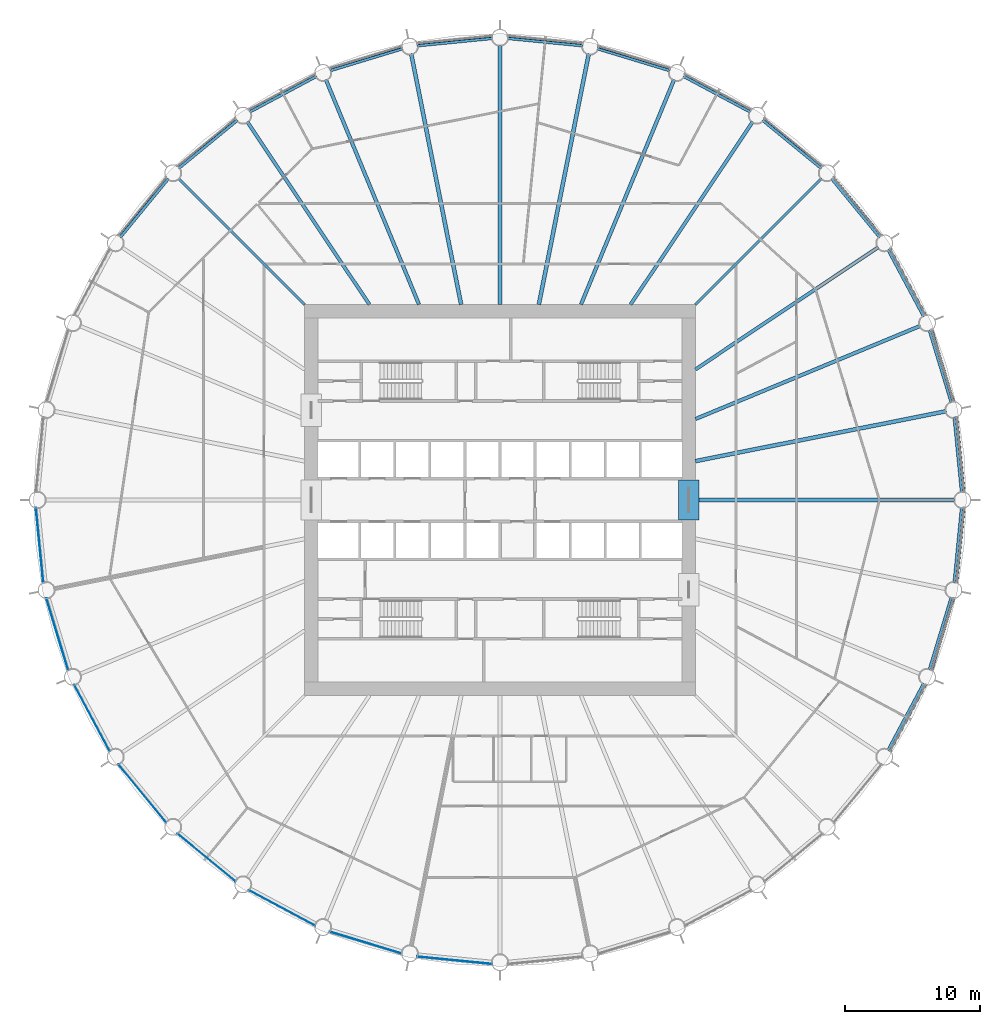
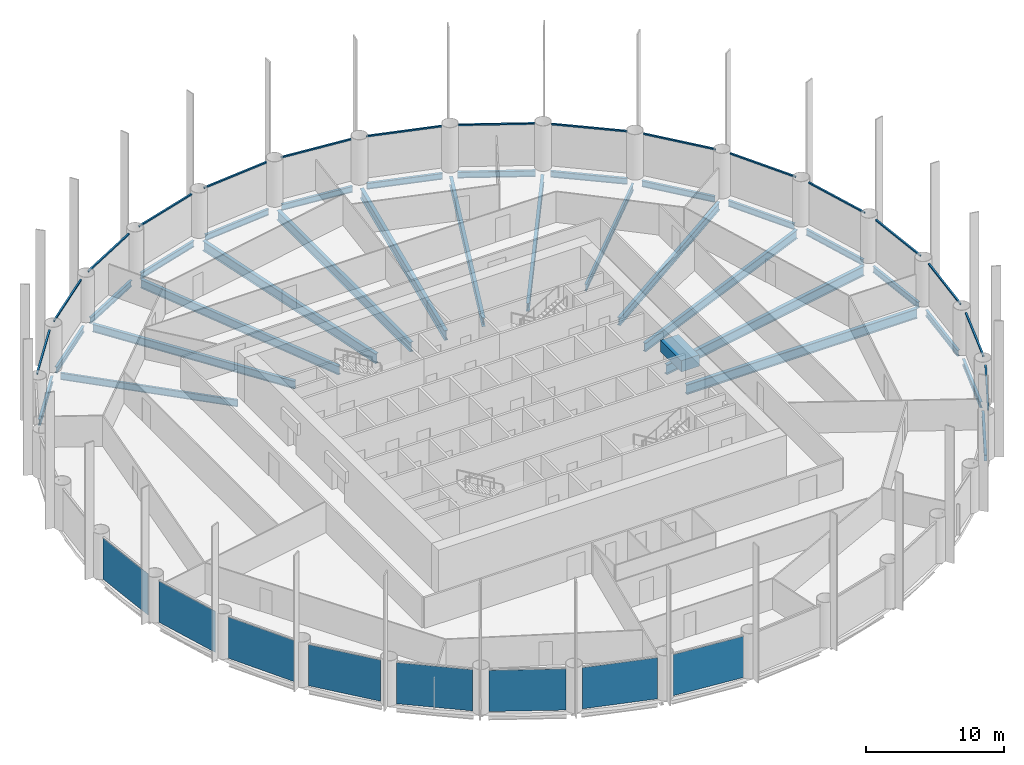
# One storey, part 2 of 10: 30 beams, 16 members, 8 plates, 24 elements without a shape of their own.
"""IFC4 building model written with IfcOpenShell, lengths in metres."""

from ifc_helpers import new_model, si_unit, direction, frame, origin, origin_2d, place, context, subcontext, project, spatial, rectangle, i_section, extrude, material, layer, layer_set, material_profile, profile_set, type_object, element, aggregate, save


model = new_model("IFC4")

# Units and contexts
model_context = context("Model", 3, precision=1e-05, world=origin(), true_north=direction((0.0, 1.0)))
body_context = subcontext(model_context, "Body", "Model", "MODEL_VIEW")
ifc_project = project(units=[si_unit("LENGTHUNIT", "METRE"), si_unit("AREAUNIT", "SQUARE_METRE"), si_unit("VOLUMEUNIT", "CUBIC_METRE"), si_unit("PLANEANGLEUNIT", "RADIAN"), si_unit("MASSUNIT", "GRAM", prefix="KILO")], contexts=[model_context])

# Site, building, storey
site_placement = place(None, origin())
site = spatial("IfcSite", under=ifc_project, at=site_placement, CompositionType="ELEMENT")
building_placement = place(site_placement, origin())
building = spatial("IfcBuilding", under=site, at=building_placement, Name="Corvane Civic Tower", CompositionType="ELEMENT")
storey_placement = place(building_placement, frame((0.0, 0.0, 118.5)))
storey = spatial("IfcBuildingStorey", under=building, at=storey_placement, Name="L27", CompositionType="ELEMENT", Elevation=118.5)

# Beams
ifc_material_1 = material(Name="Concrete C70/85", Category="concrete")
ifc_material_profile_1 = material_profile(ifc_material_1, rectangle(XDim=1.5, YDim=1.0, at=origin_2d()), Name="COUPLING BEAM 1500X1000")
ifc_profile_set_1 = profile_set([ifc_material_profile_1], Name="Concrete C70/85")
beam_type_1 = type_object("IfcBeamType", Name="COUPLING BEAM COUPLING BEAM 1500X1000", PredefinedType="BEAM", material=ifc_profile_set_1)
beam_1_placement = place(storey_placement, frame((14.0, -1.5, 2.60009765625), z_axis=(0.0, 1.0, 0.0), x_axis=(-1.0, 0.0, 0.0)))
element("IfcBeam", 1, at=beam_1_placement, inside=storey, type_object=beam_type_1, Name="BM-L27-cpl-CW-LE", PredefinedType="BEAM", context=body_context, shape_type="SweptSolid", body=[
    extrude(rectangle(XDim=1.5, YDim=1.0, at=origin_2d()), origin(), (0.0, 0.0, 1.0), 3.0),
])
ifc_material_2 = material(Name="Steel ASTM A992 Gr 50", Category="steel")
ifc_material_profile_2 = material_profile(ifc_material_2, i_section(OverallWidth=0.209228515625, OverallDepth=0.533447265625, WebThickness=0.01025390625, FlangeThickness=0.015625, at=origin_2d()), Name="W21X62")
ifc_profile_set_2 = profile_set([ifc_material_profile_2], Name="Steel ASTM A992 Gr 50")
beam_type_2 = type_object("IfcBeamType", Name="EDGE BEAM W21X62", PredefinedType="BEAM", material=ifc_profile_set_2)
beam_2_placement = place(storey_placement, frame((0.54736328125, 34.24609375, -0.566650390625), z_axis=(0.995184368522, -0.098020776625, 0.0), x_axis=(0.098020776625, 0.995184368522, 0.0)))
element("IfcBeam", 2, at=beam_2_placement, inside=storey, type_object=beam_type_2, Name="BM-L27-E01", PredefinedType="BEAM", context=body_context, shape_type="SweptSolid", body=[
    extrude(i_section(OverallWidth=0.209228515625, OverallDepth=0.533447265625, WebThickness=0.01025390625, FlangeThickness=0.015625, at=origin_2d()), origin(), (0.0, 0.0, 1.0), 5.6240234375),
])
beam_3_placement = place(storey_placement, frame((7.218017578125, 33.481201171875, -0.566650390625), z_axis=(0.956936367498, -0.290297758448, 0.0), x_axis=(0.290297758448, 0.956936367498, 0.0)))
element("IfcBeam", 3, at=beam_3_placement, inside=storey, type_object=beam_type_2, Name="BM-L27-E02", PredefinedType="BEAM", context=body_context, shape_type="SweptSolid", body=[
    extrude(i_section(OverallWidth=0.209228515625, OverallDepth=0.533447265625, WebThickness=0.01025390625, FlangeThickness=0.015625, at=origin_2d()), origin(), (0.0, 0.0, 1.0), 5.623779296875),
])
for number, where, z_axis, x_axis, name in (
    (4, (13.611083984375, 31.4296875, -0.566650390625), (0.88192357867, -0.471392407008, 0.0), (0.471392407008, 0.88192357867, 0.0), "BM-L27-E03"),
    (5, (19.481201171875, 28.17041015625, -0.566650390625), (0.773006775372, -0.634397765782, 0.0), (0.634397765782, 0.773006775372, 0.0), "BM-L27-E04"),
    (6, (24.6025390625, 23.82861328125, -0.566650390625), (0.634397765782, -0.773006775372, 0.0), (0.773006775372, 0.634397765782, 0.0), "BM-L27-E05"),
    (7, (28.778564453125, 18.571044921875, -0.566650390625), (0.471392407008, -0.88192357867, 0.0), (0.88192357867, 0.471392407008, 0.0), "BM-L27-E06"),
):
    element("IfcBeam", number, at=place(storey_placement, frame(where, z_axis=z_axis, x_axis=x_axis)), inside=storey, type_object=beam_type_2, Name=name, PredefinedType="BEAM", context=body_context, shape_type="SweptSolid", body=[
        extrude(i_section(OverallWidth=0.209228515625, OverallDepth=0.533447265625, WebThickness=0.01025390625, FlangeThickness=0.015625, at=origin_2d()), origin(), (0.0, 0.0, 1.0), 5.6240234375),
    ])
beam_4_placement = place(storey_placement, frame((31.8486328125, 12.599609375, -0.566650390625), z_axis=(0.290297758448, -0.956936367498, 0.0), x_axis=(0.956936367498, 0.290297758448, 0.0)))
element("IfcBeam", 8, at=beam_4_placement, inside=storey, type_object=beam_type_2, Name="BM-L27-E07", PredefinedType="BEAM", context=body_context, shape_type="SweptSolid", body=[
    extrude(i_section(OverallWidth=0.209228515625, OverallDepth=0.533447265625, WebThickness=0.01025390625, FlangeThickness=0.015625, at=origin_2d()), origin(), (0.0, 0.0, 1.0), 5.623779296875),
])
for number, where, z_axis, x_axis, name in (
    (9, (33.69482421875, 6.144287109375, -0.566650390625), (0.098020776625, -0.995184368522, 0.0), (0.995184368522, 0.098020776625, 0.0), "BM-L27-E08"),
    (10, (34.24609375, -0.54736328125, -0.566650390625), (-0.098020776625, -0.995184368522, 0.0), (0.995184368522, -0.098020776625, 0.0), "BM-L27-E09"),
):
    element("IfcBeam", number, at=place(storey_placement, frame(where, z_axis=z_axis, x_axis=x_axis)), inside=storey, type_object=beam_type_2, Name=name, PredefinedType="BEAM", context=body_context, shape_type="SweptSolid", body=[
        extrude(i_section(OverallWidth=0.209228515625, OverallDepth=0.533447265625, WebThickness=0.01025390625, FlangeThickness=0.015625, at=origin_2d()), origin(), (0.0, 0.0, 1.0), 5.6240234375),
    ])
beam_5_placement = place(storey_placement, frame((33.481201171875, -7.218017578125, -0.566650390625), z_axis=(-0.290297758448, -0.956936367498, 0.0), x_axis=(0.956936367498, -0.290297758448, 0.0)))
element("IfcBeam", 11, at=beam_5_placement, inside=storey, type_object=beam_type_2, Name="BM-L27-E10", PredefinedType="BEAM", context=body_context, shape_type="SweptSolid", body=[
    extrude(i_section(OverallWidth=0.209228515625, OverallDepth=0.533447265625, WebThickness=0.01025390625, FlangeThickness=0.015625, at=origin_2d()), origin(), (0.0, 0.0, 1.0), 5.623779296875),
])
for number, where, z_axis, x_axis, name in (
    (12, (31.4296875, -13.611083984375, -0.566650390625), (-0.471392407008, -0.88192357867, 0.0), (0.88192357867, -0.471392407008, 0.0), "BM-L27-E11"),
    (13, (-28.17041015625, 19.481201171875, -0.566650390625), (0.634397765782, 0.773006775372, 0.0), (-0.773006775372, 0.634397765782, 0.0), "BM-L27-E28"),
    (14, (-23.82861328125, 24.6025390625, -0.566650390625), (0.773006775372, 0.634397765782, 0.0), (-0.634397765782, 0.773006775372, 0.0), "BM-L27-E29"),
    (15, (-18.571044921875, 28.778564453125, -0.566650390625), (0.88192357867, 0.471392407008, 0.0), (-0.471392407008, 0.88192357867, 0.0), "BM-L27-E30"),
):
    element("IfcBeam", number, at=place(storey_placement, frame(where, z_axis=z_axis, x_axis=x_axis)), inside=storey, type_object=beam_type_2, Name=name, PredefinedType="BEAM", context=body_context, shape_type="SweptSolid", body=[
        extrude(i_section(OverallWidth=0.209228515625, OverallDepth=0.533447265625, WebThickness=0.01025390625, FlangeThickness=0.015625, at=origin_2d()), origin(), (0.0, 0.0, 1.0), 5.6240234375),
    ])
beam_6_placement = place(storey_placement, frame((-12.599609375, 31.8486328125, -0.566650390625), z_axis=(0.956936367498, 0.290297758448, 0.0), x_axis=(-0.290297758448, 0.956936367498, 0.0)))
element("IfcBeam", 16, at=beam_6_placement, inside=storey, type_object=beam_type_2, Name="BM-L27-E31", PredefinedType="BEAM", context=body_context, shape_type="SweptSolid", body=[
    extrude(i_section(OverallWidth=0.209228515625, OverallDepth=0.533447265625, WebThickness=0.01025390625, FlangeThickness=0.015625, at=origin_2d()), origin(), (0.0, 0.0, 1.0), 5.623779296875),
])
beam_7_placement = place(storey_placement, frame((-6.144287109375, 33.69482421875, -0.566650390625), z_axis=(0.995184368522, 0.098020776625, 0.0), x_axis=(-0.098020776625, 0.995184368522, 0.0)))
element("IfcBeam", 17, at=beam_7_placement, inside=storey, type_object=beam_type_2, Name="BM-L27-E32", PredefinedType="BEAM", context=body_context, shape_type="SweptSolid", body=[
    extrude(i_section(OverallWidth=0.209228515625, OverallDepth=0.533447265625, WebThickness=0.01025390625, FlangeThickness=0.015625, at=origin_2d()), origin(), (0.0, 0.0, 1.0), 5.6240234375),
])
ifc_material_3 = material(Name="Steel ASTM A992 Gr 50", Category="steel")
ifc_material_profile_3 = material_profile(ifc_material_3, i_section(OverallWidth=0.177978515625, OverallDepth=0.599365234375, WebThickness=0.010009765625, FlangeThickness=0.012939453125, at=origin_2d()), Name="W24X55")
ifc_profile_set_3 = profile_set([ifc_material_profile_3], Name="Steel ASTM A992 Gr 50")
beam_type_3 = type_object("IfcBeamType", Name="FLOOR GIRDER W24X55", PredefinedType="BEAM", material=ifc_profile_set_3)
for number, where, z_axis, x_axis, name in (
    (18, (14.5, 14.5, -0.599609375), (0.707106781187, 0.707106781187, 0.0), (-0.707106781187, 0.707106781187, 0.0), "BM-L27-G05"),
    (19, (-14.5, 14.5, -0.599609375), (-0.707106781187, 0.707106781187, 0.0), (-0.707106781187, -0.707106781187, 0.0), "BM-L27-G29"),
):
    element("IfcBeam", number, at=place(storey_placement, frame(where, z_axis=z_axis, x_axis=x_axis)), inside=storey, type_object=beam_type_3, Name=name, PredefinedType="BEAM", context=body_context, shape_type="SweptSolid", body=[
        extrude(i_section(OverallWidth=0.177978515625, OverallDepth=0.599365234375, WebThickness=0.010009765625, FlangeThickness=0.012939453125, at=origin_2d()), origin(), (0.0, 0.0, 1.0), 13.24365234375),
    ])
ifc_material_4 = material(Name="Steel ASTM A992 Gr 50", Category="steel")
ifc_material_profile_4 = material_profile(ifc_material_4, i_section(OverallWidth=0.256591796875, OverallDepth=0.693359375, WebThickness=0.014404296875, FlangeThickness=0.023681640625, at=origin_2d()), Name="W27X114")
ifc_profile_set_4 = profile_set([ifc_material_profile_4], Name="Steel ASTM A992 Gr 50")
beam_type_4 = type_object("IfcBeamType", Name="FLOOR GIRDER W27X114", PredefinedType="BEAM", material=ifc_profile_set_4)
for number, where, z_axis, x_axis, name in (
    (20, (9.6884765625, 14.5, -0.646728515625), (0.555577235054, 0.83146493365, 0.0), (-0.83146493365, 0.555577235054, 0.0), "BM-L27-G04"),
    (21, (14.5, 9.6884765625, -0.646728515625), (0.83146493365, 0.555577235054, 0.0), (-0.555577235054, 0.83146493365, 0.0), "BM-L27-G06"),
    (22, (-9.6884765625, 14.5, -0.646728515625), (-0.555577235054, 0.83146493365, 0.0), (-0.83146493365, -0.555577235054, 0.0), "BM-L27-G30"),
):
    element("IfcBeam", number, at=place(storey_placement, frame(where, z_axis=z_axis, x_axis=x_axis)), inside=storey, type_object=beam_type_4, Name=name, PredefinedType="BEAM", context=body_context, shape_type="SweptSolid", body=[
        extrude(i_section(OverallWidth=0.256591796875, OverallDepth=0.693359375, WebThickness=0.014404296875, FlangeThickness=0.023681640625, at=origin_2d()), origin(), (0.0, 0.0, 1.0), 16.31103515625),
    ])
ifc_material_5 = material(Name="Steel ASTM A992 Gr 50", Category="steel")
ifc_material_profile_5 = material_profile(ifc_material_5, i_section(OverallWidth=0.2666015625, OverallDepth=0.7568359375, WebThickness=0.013916015625, FlangeThickness=0.019287109375, at=origin_2d()), Name="W30X108")
ifc_profile_set_5 = profile_set([ifc_material_profile_5], Name="Steel ASTM A992 Gr 50")
beam_type_5 = type_object("IfcBeamType", Name="FLOOR GIRDER W30X108", PredefinedType="BEAM", material=ifc_profile_set_5)
for number, where, z_axis, x_axis, name in (
    (23, (6.006103515625, 14.5, -0.678466796875), (0.382681797504, 0.923880209691, 0.0), (-0.923880209691, 0.382681797504, 0.0), "BM-L27-G03"),
    (24, (14.5, 6.006103515625, -0.678466796875), (0.923880209691, 0.382681797504, 0.0), (-0.382681797504, 0.923880209691, 0.0), "BM-L27-G07"),
    (25, (-6.006103515625, 14.5, -0.678466796875), (-0.382681797504, 0.923880209691, 0.0), (-0.923880209691, -0.382681797504, 0.0), "BM-L27-G31"),
):
    element("IfcBeam", number, at=place(storey_placement, frame(where, z_axis=z_axis, x_axis=x_axis)), inside=storey, type_object=beam_type_5, Name=name, PredefinedType="BEAM", context=body_context, shape_type="SweptSolid", body=[
        extrude(i_section(OverallWidth=0.2666015625, OverallDepth=0.7568359375, WebThickness=0.013916015625, FlangeThickness=0.019287109375, at=origin_2d()), origin(), (0.0, 0.0, 1.0), 18.05517578125),
    ])
ifc_material_6 = material(Name="Steel ASTM A992 Gr 50", Category="steel")
ifc_material_profile_6 = material_profile(ifc_material_6, i_section(OverallWidth=0.2919921875, OverallDepth=0.8583984375, WebThickness=0.01708984375, FlangeThickness=0.031005859375, at=origin_2d()), Name="W33X169")
ifc_profile_set_6 = profile_set([ifc_material_profile_6], Name="Steel ASTM A992 Gr 50")
beam_type_6 = type_object("IfcBeamType", Name="FLOOR GIRDER W33X169", PredefinedType="BEAM", material=ifc_profile_set_6)
beam_8_placement = place(storey_placement, frame((0.0, 14.5, -0.729248046875), z_axis=(0.0, 1.0, 0.0), x_axis=(-1.0, 0.0, 0.0)))
element("IfcBeam", 26, at=beam_8_placement, inside=storey, type_object=beam_type_6, Name="BM-L27-G01", PredefinedType="BEAM", context=body_context, shape_type="SweptSolid", body=[
    extrude(i_section(OverallWidth=0.2919921875, OverallDepth=0.8583984375, WebThickness=0.01708984375, FlangeThickness=0.031005859375, at=origin_2d()), origin(), (0.0, 0.0, 1.0), 19.25),
])
for number, where, z_axis, x_axis, name in (
    (27, (2.88427734375, 14.5, -0.729248046875), (0.195083745652, 0.9807865885, 0.0), (-0.9807865885, 0.195083745652, 0.0), "BM-L27-G02"),
    (28, (14.5, 2.88427734375, -0.729248046875), (0.9807865885, 0.195083745652, 0.0), (-0.195083745652, 0.9807865885, 0.0), "BM-L27-G08"),
):
    element("IfcBeam", number, at=place(storey_placement, frame(where, z_axis=z_axis, x_axis=x_axis)), inside=storey, type_object=beam_type_6, Name=name, PredefinedType="BEAM", context=body_context, shape_type="SweptSolid", body=[
        extrude(i_section(OverallWidth=0.2919921875, OverallDepth=0.8583984375, WebThickness=0.01708984375, FlangeThickness=0.031005859375, at=origin_2d()), origin(), (0.0, 0.0, 1.0), 18.966064453125),
    ])
beam_9_placement = place(storey_placement, frame((14.5, 0.0, -0.729248046875), z_axis=(1.0, 0.0, 0.0), x_axis=(0.0, 1.0, 0.0)))
element("IfcBeam", 29, at=beam_9_placement, inside=storey, type_object=beam_type_6, Name="BM-L27-G09", PredefinedType="BEAM", context=body_context, shape_type="SweptSolid", body=[
    extrude(i_section(OverallWidth=0.2919921875, OverallDepth=0.8583984375, WebThickness=0.01708984375, FlangeThickness=0.031005859375, at=origin_2d()), origin(), (0.0, 0.0, 1.0), 19.25),
])
beam_10_placement = place(storey_placement, frame((-2.88427734375, 14.5, -0.729248046875), z_axis=(-0.195083745652, 0.9807865885, 0.0), x_axis=(-0.9807865885, -0.195083745652, 0.0)))
element("IfcBeam", 30, at=beam_10_placement, inside=storey, type_object=beam_type_6, Name="BM-L27-G32", PredefinedType="BEAM", context=body_context, shape_type="SweptSolid", body=[
    extrude(i_section(OverallWidth=0.2919921875, OverallDepth=0.8583984375, WebThickness=0.01708984375, FlangeThickness=0.031005859375, at=origin_2d()), origin(), (0.0, 0.0, 1.0), 18.966064453125),
])

# Curtain wall, member
ifc_material_7 = material(Name="Anodised aluminium bronze", Category="aluminium")
curtain_wall_type = type_object("IfcCurtainWallType", Name="TOWER CW-T1 STICK CURTAIN WALL", PredefinedType="NOTDEFINED", material=ifc_material_7)
curtain_wall_1_placement = place(storey_placement, origin())
curtain_wall_1 = element("IfcCurtainWall", 31, at=curtain_wall_1_placement, inside=storey, type_object=curtain_wall_type, Name="Curtain wall CW-T1 L27 bay 01", PredefinedType="NOTDEFINED")
ifc_material_8 = material(Name="Anodised aluminium bronze", Category="aluminium")
ifc_material_profile_7 = material_profile(ifc_material_8, rectangle(XDim=0.139892578125, YDim=0.1201171875, at=origin_2d()), Name="TOWER CW-T1 TRANSOM 140x120")
ifc_profile_set_7 = profile_set([ifc_material_profile_7], Name="Anodised aluminium bronze")
member_type = type_object("IfcMemberType", Name="TOWER CW-T1 TRANSOM 140x120", PredefinedType="USERDEFINED", material=ifc_profile_set_7)
member_1_placement = place(storey_placement, frame((0.58349609375, 34.422607421875, 3.68994140625), z_axis=(0.995179807033, -0.098067077419, 0.0), x_axis=(0.098067077419, 0.995179807033, 0.0)))
member_1 = element("IfcMember", 32, at=member_1_placement, type_object=member_type, Name="Transom CW-T1 L27 01.1", ObjectType="TRANSOM", PredefinedType="USERDEFINED", context=body_context, shape_type="SweptSolid", body=[
    extrude(rectangle(XDim=0.139892578125, YDim=0.1201171875, at=origin_2d()), origin(), (0.0, 0.0, 1.0), 5.58642578125),
])
aggregate(curtain_wall_1, [member_1])

curtain_wall_2_placement = place(storey_placement, origin())
curtain_wall_2 = element("IfcCurtainWall", 33, at=curtain_wall_2_placement, inside=storey, type_object=curtain_wall_type, Name="Curtain wall CW-T1 L27 bay 02", PredefinedType="NOTDEFINED")
member_2_placement = place(storey_placement, frame((7.287841796875, 33.647216796875, 3.68994140625), z_axis=(0.956944977029, -0.290269376509, 0.0), x_axis=(0.290269376509, 0.956944977029, 0.0)))
member_2 = element("IfcMember", 34, at=member_2_placement, type_object=member_type, Name="Transom CW-T1 L27 02.1", ObjectType="TRANSOM", PredefinedType="USERDEFINED", context=body_context, shape_type="SweptSolid", body=[
    extrude(rectangle(XDim=0.139892578125, YDim=0.1201171875, at=origin_2d()), origin(), (0.0, 0.0, 1.0), 5.58642578125),
])
aggregate(curtain_wall_2, [member_2])

curtain_wall_3_placement = place(storey_placement, origin())
curtain_wall_3 = element("IfcCurtainWall", 35, at=curtain_wall_3_placement, inside=storey, type_object=curtain_wall_type, Name="Curtain wall CW-T1 L27 bay 03", PredefinedType="NOTDEFINED")
member_3_placement = place(storey_placement, frame((13.712158203125, 31.5791015625, 3.68994140625), z_axis=(0.881920705407, -0.47139778253, 0.0), x_axis=(0.47139778253, 0.881920705407, 0.0)))
member_3 = element("IfcMember", 36, at=member_3_placement, type_object=member_type, Name="Transom CW-T1 L27 03.1", ObjectType="TRANSOM", PredefinedType="USERDEFINED", context=body_context, shape_type="SweptSolid", body=[
    extrude(rectangle(XDim=0.139892578125, YDim=0.1201171875, at=origin_2d()), origin(), (0.0, 0.0, 1.0), 5.586669921875),
])
aggregate(curtain_wall_3, [member_3])

curtain_wall_4_placement = place(storey_placement, origin())
curtain_wall_4 = element("IfcCurtainWall", 37, at=curtain_wall_4_placement, inside=storey, type_object=curtain_wall_type, Name="Curtain wall CW-T1 L27 bay 04", PredefinedType="NOTDEFINED")
member_4_placement = place(storey_placement, frame((19.609619140625, 28.297119140625, 3.68994140625), z_axis=(0.772996431642, -0.634410369295, 0.0), x_axis=(0.634410369295, 0.772996431642, 0.0)))
member_4 = element("IfcMember", 38, at=member_4_placement, type_object=member_type, Name="Transom CW-T1 L27 04.1", ObjectType="TRANSOM", PredefinedType="USERDEFINED", context=body_context, shape_type="SweptSolid", body=[
    extrude(rectangle(XDim=0.139892578125, YDim=0.1201171875, at=origin_2d()), origin(), (0.0, 0.0, 1.0), 5.586181640625),
])
aggregate(curtain_wall_4, [member_4])

curtain_wall_5_placement = place(storey_placement, origin())
curtain_wall_5 = element("IfcCurtainWall", 39, at=curtain_wall_5_placement, inside=storey, type_object=curtain_wall_type, Name="Curtain wall CW-T1 L27 bay 05", PredefinedType="NOTDEFINED")
member_5_placement = place(storey_placement, frame((24.753173828125, 23.927734375, 3.68994140625), z_axis=(0.634410369295, -0.772996431642, 0.0), x_axis=(0.772996431642, 0.634410369295, 0.0)))
member_5 = element("IfcMember", 40, at=member_5_placement, type_object=member_type, Name="Transom CW-T1 L27 05.1", ObjectType="TRANSOM", PredefinedType="USERDEFINED", context=body_context, shape_type="SweptSolid", body=[
    extrude(rectangle(XDim=0.139892578125, YDim=0.1201171875, at=origin_2d()), origin(), (0.0, 0.0, 1.0), 5.586181640625),
])
aggregate(curtain_wall_5, [member_5])

curtain_wall_6_placement = place(storey_placement, origin())
curtain_wall_6 = element("IfcCurtainWall", 41, at=curtain_wall_6_placement, inside=storey, type_object=curtain_wall_type, Name="Curtain wall CW-T1 L27 bay 06", PredefinedType="NOTDEFINED")
member_6_placement = place(storey_placement, frame((28.945556640625, 18.63916015625, 3.68994140625), z_axis=(0.47139778253, -0.881920705407, 0.0), x_axis=(0.881920705407, 0.47139778253, 0.0)))
member_6 = element("IfcMember", 42, at=member_6_placement, type_object=member_type, Name="Transom CW-T1 L27 06.1", ObjectType="TRANSOM", PredefinedType="USERDEFINED", context=body_context, shape_type="SweptSolid", body=[
    extrude(rectangle(XDim=0.139892578125, YDim=0.1201171875, at=origin_2d()), origin(), (0.0, 0.0, 1.0), 5.586669921875),
])
aggregate(curtain_wall_6, [member_6])

curtain_wall_7_placement = place(storey_placement, origin())
curtain_wall_7 = element("IfcCurtainWall", 43, at=curtain_wall_7_placement, inside=storey, type_object=curtain_wall_type, Name="Curtain wall CW-T1 L27 bay 07", PredefinedType="NOTDEFINED")
member_7_placement = place(storey_placement, frame((32.025634765625, 12.6337890625, 3.68994140625), z_axis=(0.290269376509, -0.956944977029, 0.0), x_axis=(0.956944977029, 0.290269376509, 0.0)))
member_7 = element("IfcMember", 44, at=member_7_placement, type_object=member_type, Name="Transom CW-T1 L27 07.1", ObjectType="TRANSOM", PredefinedType="USERDEFINED", context=body_context, shape_type="SweptSolid", body=[
    extrude(rectangle(XDim=0.139892578125, YDim=0.1201171875, at=origin_2d()), origin(), (0.0, 0.0, 1.0), 5.58642578125),
])
aggregate(curtain_wall_7, [member_7])

curtain_wall_8_placement = place(storey_placement, origin())
curtain_wall_8 = element("IfcCurtainWall", 45, at=curtain_wall_8_placement, inside=storey, type_object=curtain_wall_type, Name="Curtain wall CW-T1 L27 bay 08", PredefinedType="NOTDEFINED")
member_8_placement = place(storey_placement, frame((33.874755859375, 6.14306640625, 3.68994140625), z_axis=(0.098067077419, -0.995179807033, 0.0), x_axis=(0.995179807033, 0.098067077419, 0.0)))
member_8 = element("IfcMember", 46, at=member_8_placement, type_object=member_type, Name="Transom CW-T1 L27 08.1", ObjectType="TRANSOM", PredefinedType="USERDEFINED", context=body_context, shape_type="SweptSolid", body=[
    extrude(rectangle(XDim=0.139892578125, YDim=0.1201171875, at=origin_2d()), origin(), (0.0, 0.0, 1.0), 5.58642578125),
])
aggregate(curtain_wall_8, [member_8])

curtain_wall_9_placement = place(storey_placement, origin())
curtain_wall_9 = element("IfcCurtainWall", 47, at=curtain_wall_9_placement, inside=storey, type_object=curtain_wall_type, Name="Curtain wall CW-T1 L27 bay 09", PredefinedType="NOTDEFINED")
member_9_placement = place(storey_placement, frame((34.422607421875, -0.58349609375, 3.68994140625), z_axis=(-0.098067077419, -0.995179807033, 0.0), x_axis=(0.995179807033, -0.098067077419, 0.0)))
member_9 = element("IfcMember", 48, at=member_9_placement, type_object=member_type, Name="Transom CW-T1 L27 09.1", ObjectType="TRANSOM", PredefinedType="USERDEFINED", context=body_context, shape_type="SweptSolid", body=[
    extrude(rectangle(XDim=0.139892578125, YDim=0.1201171875, at=origin_2d()), origin(), (0.0, 0.0, 1.0), 5.58642578125),
])
aggregate(curtain_wall_9, [member_9])

curtain_wall_10_placement = place(storey_placement, origin())
curtain_wall_10 = element("IfcCurtainWall", 49, at=curtain_wall_10_placement, inside=storey, type_object=curtain_wall_type, Name="Curtain wall CW-T1 L27 bay 10", PredefinedType="NOTDEFINED")
member_10_placement = place(storey_placement, frame((33.647216796875, -7.287841796875, 3.68994140625), z_axis=(-0.290269376509, -0.956944977029, 0.0), x_axis=(0.956944977029, -0.290269376509, 0.0)))
member_10 = element("IfcMember", 50, at=member_10_placement, type_object=member_type, Name="Transom CW-T1 L27 10.1", ObjectType="TRANSOM", PredefinedType="USERDEFINED", context=body_context, shape_type="SweptSolid", body=[
    extrude(rectangle(XDim=0.139892578125, YDim=0.1201171875, at=origin_2d()), origin(), (0.0, 0.0, 1.0), 5.58642578125),
])
aggregate(curtain_wall_10, [member_10])

curtain_wall_11_placement = place(storey_placement, origin())
curtain_wall_11 = element("IfcCurtainWall", 51, at=curtain_wall_11_placement, inside=storey, type_object=curtain_wall_type, Name="Curtain wall CW-T1 L27 bay 11", PredefinedType="NOTDEFINED")
member_11_placement = place(storey_placement, frame((31.5791015625, -13.712158203125, 3.68994140625), z_axis=(-0.47139778253, -0.881920705407, 0.0), x_axis=(0.881920705407, -0.47139778253, 0.0)))
member_11 = element("IfcMember", 52, at=member_11_placement, type_object=member_type, Name="Transom CW-T1 L27 11.1", ObjectType="TRANSOM", PredefinedType="USERDEFINED", context=body_context, shape_type="SweptSolid", body=[
    extrude(rectangle(XDim=0.139892578125, YDim=0.1201171875, at=origin_2d()), origin(), (0.0, 0.0, 1.0), 5.586669921875),
])
aggregate(curtain_wall_11, [member_11])

curtain_wall_12_placement = place(storey_placement, origin())
curtain_wall_12 = element("IfcCurtainWall", 53, at=curtain_wall_12_placement, inside=storey, type_object=curtain_wall_type, Name="Curtain wall CW-T1 L27 bay 28", PredefinedType="NOTDEFINED")
member_12_placement = place(storey_placement, frame((-28.297119140625, 19.609619140625, 3.68994140625), z_axis=(0.634410369295, 0.772996431642, 0.0), x_axis=(-0.772996431642, 0.634410369295, 0.0)))
member_12 = element("IfcMember", 54, at=member_12_placement, type_object=member_type, Name="Transom CW-T1 L27 28.1", ObjectType="TRANSOM", PredefinedType="USERDEFINED", context=body_context, shape_type="SweptSolid", body=[
    extrude(rectangle(XDim=0.139892578125, YDim=0.1201171875, at=origin_2d()), origin(), (0.0, 0.0, 1.0), 5.586181640625),
])
aggregate(curtain_wall_12, [member_12])

curtain_wall_13_placement = place(storey_placement, origin())
curtain_wall_13 = element("IfcCurtainWall", 55, at=curtain_wall_13_placement, inside=storey, type_object=curtain_wall_type, Name="Curtain wall CW-T1 L27 bay 29", PredefinedType="NOTDEFINED")
member_13_placement = place(storey_placement, frame((-23.927734375, 24.753173828125, 3.68994140625), z_axis=(0.772996431642, 0.634410369295, 0.0), x_axis=(-0.634410369295, 0.772996431642, 0.0)))
member_13 = element("IfcMember", 56, at=member_13_placement, type_object=member_type, Name="Transom CW-T1 L27 29.1", ObjectType="TRANSOM", PredefinedType="USERDEFINED", context=body_context, shape_type="SweptSolid", body=[
    extrude(rectangle(XDim=0.139892578125, YDim=0.1201171875, at=origin_2d()), origin(), (0.0, 0.0, 1.0), 5.586181640625),
])
aggregate(curtain_wall_13, [member_13])

curtain_wall_14_placement = place(storey_placement, origin())
curtain_wall_14 = element("IfcCurtainWall", 57, at=curtain_wall_14_placement, inside=storey, type_object=curtain_wall_type, Name="Curtain wall CW-T1 L27 bay 30", PredefinedType="NOTDEFINED")
member_14_placement = place(storey_placement, frame((-18.63916015625, 28.945556640625, 3.68994140625), z_axis=(0.881920705407, 0.47139778253, 0.0), x_axis=(-0.47139778253, 0.881920705407, 0.0)))
member_14 = element("IfcMember", 58, at=member_14_placement, type_object=member_type, Name="Transom CW-T1 L27 30.1", ObjectType="TRANSOM", PredefinedType="USERDEFINED", context=body_context, shape_type="SweptSolid", body=[
    extrude(rectangle(XDim=0.139892578125, YDim=0.1201171875, at=origin_2d()), origin(), (0.0, 0.0, 1.0), 5.586669921875),
])
aggregate(curtain_wall_14, [member_14])

curtain_wall_15_placement = place(storey_placement, origin())
curtain_wall_15 = element("IfcCurtainWall", 59, at=curtain_wall_15_placement, inside=storey, type_object=curtain_wall_type, Name="Curtain wall CW-T1 L27 bay 31", PredefinedType="NOTDEFINED")
member_15_placement = place(storey_placement, frame((-12.6337890625, 32.025634765625, 3.68994140625), z_axis=(0.956944977029, 0.290269376509, 0.0), x_axis=(-0.290269376509, 0.956944977029, 0.0)))
member_15 = element("IfcMember", 60, at=member_15_placement, type_object=member_type, Name="Transom CW-T1 L27 31.1", ObjectType="TRANSOM", PredefinedType="USERDEFINED", context=body_context, shape_type="SweptSolid", body=[
    extrude(rectangle(XDim=0.139892578125, YDim=0.1201171875, at=origin_2d()), origin(), (0.0, 0.0, 1.0), 5.58642578125),
])
aggregate(curtain_wall_15, [member_15])

curtain_wall_16_placement = place(storey_placement, origin())
curtain_wall_16 = element("IfcCurtainWall", 61, at=curtain_wall_16_placement, inside=storey, type_object=curtain_wall_type, Name="Curtain wall CW-T1 L27 bay 32", PredefinedType="NOTDEFINED")
member_16_placement = place(storey_placement, frame((-6.14306640625, 33.874755859375, 3.68994140625), z_axis=(0.995179807033, 0.098067077419, 0.0), x_axis=(-0.098067077419, 0.995179807033, 0.0)))
member_16 = element("IfcMember", 62, at=member_16_placement, type_object=member_type, Name="Transom CW-T1 L27 32.1", ObjectType="TRANSOM", PredefinedType="USERDEFINED", context=body_context, shape_type="SweptSolid", body=[
    extrude(rectangle(XDim=0.139892578125, YDim=0.1201171875, at=origin_2d()), origin(), (0.0, 0.0, 1.0), 5.58642578125),
])
aggregate(curtain_wall_16, [member_16])

# Curtain wall, plate
curtain_wall_17_placement = place(storey_placement, origin())
curtain_wall_17 = element("IfcCurtainWall", 63, at=curtain_wall_17_placement, inside=storey, type_object=curtain_wall_type, Name="Curtain wall CW-T1 L27 bay 17", PredefinedType="NOTDEFINED")
ifc_material_9 = material(Name="Tinted glass", Category="glass")
ifc_layer = layer(ifc_material_9, 0.035888671875)
ifc_layer_set = layer_set([ifc_layer], Name="Tinted glass")
plate_type = type_object("IfcPlateType", Name="TOWER CW-T1 PANEL IGU36", PredefinedType="CURTAIN_PANEL", material=ifc_layer_set)
plate_1_placement = place(storey_placement, frame((-3.36328125, -34.148681640625, 0.0), z_axis=(0.0, 0.0, 1.0), x_axis=(-0.995183788169, 0.098026668644, 0.0)))
plate_1 = element("IfcPlate", 64, at=plate_1_placement, type_object=plate_type, Name="Glass panel CW-T1 L27 17.1", PredefinedType="CURTAIN_PANEL", context=body_context, shape_type="SweptSolid", body=[
    extrude(rectangle(XDim=5.58642578125, YDim=0.035888671875, at=origin_2d()), origin(), (0.0, 0.0, 1.0), 3.6298828125),
])
aggregate(curtain_wall_17, [plate_1])

curtain_wall_18_placement = place(storey_placement, origin())
curtain_wall_18 = element("IfcCurtainWall", 65, at=curtain_wall_18_placement, inside=storey, type_object=curtain_wall_type, Name="Curtain wall CW-T1 L27 bay 18", PredefinedType="NOTDEFINED")
plate_2_placement = place(storey_placement, frame((-9.9609375, -32.83642578125, 0.0), z_axis=(0.0, 0.0, 1.0), x_axis=(-0.956945991488, 0.290266032073, 0.0)))
plate_2 = element("IfcPlate", 66, at=plate_2_placement, type_object=plate_type, Name="Glass panel CW-T1 L27 18.1", PredefinedType="CURTAIN_PANEL", context=body_context, shape_type="SweptSolid", body=[
    extrude(rectangle(XDim=5.58642578125, YDim=0.035888671875, at=origin_2d()), origin(), (0.0, 0.0, 1.0), 3.6298828125),
])
aggregate(curtain_wall_18, [plate_2])

curtain_wall_19_placement = place(storey_placement, origin())
curtain_wall_19 = element("IfcCurtainWall", 67, at=curtain_wall_19_placement, inside=storey, type_object=curtain_wall_type, Name="Curtain wall CW-T1 L27 bay 19", PredefinedType="NOTDEFINED")
plate_3_placement = place(storey_placement, frame((-16.175537109375, -30.26220703125, 0.0), z_axis=(0.0, 0.0, 1.0), x_axis=(-0.881923642976, 0.471392286699, 0.0)))
plate_3 = element("IfcPlate", 68, at=plate_3_placement, type_object=plate_type, Name="Glass panel CW-T1 L27 19.1", PredefinedType="CURTAIN_PANEL", context=body_context, shape_type="SweptSolid", body=[
    extrude(rectangle(XDim=5.586669921875, YDim=0.035888671875, at=origin_2d()), origin(), (0.0, 0.0, 1.0), 3.6298828125),
])
aggregate(curtain_wall_19, [plate_3])

curtain_wall_20_placement = place(storey_placement, origin())
curtain_wall_20 = element("IfcCurtainWall", 69, at=curtain_wall_20_placement, inside=storey, type_object=curtain_wall_type, Name="Curtain wall CW-T1 L27 bay 20", PredefinedType="NOTDEFINED")
plate_4_placement = place(storey_placement, frame((-21.7685546875, -26.525146484375, 0.0), z_axis=(0.0, 0.0, 1.0), x_axis=(-0.773013419843, 0.63438966948, 0.0)))
plate_4 = element("IfcPlate", 70, at=plate_4_placement, type_object=plate_type, Name="Glass panel CW-T1 L27 20.1", PredefinedType="CURTAIN_PANEL", context=body_context, shape_type="SweptSolid", body=[
    extrude(rectangle(XDim=5.58642578125, YDim=0.035888671875, at=origin_2d()), origin(), (0.0, 0.0, 1.0), 3.6298828125),
])
aggregate(curtain_wall_20, [plate_4])

curtain_wall_21_placement = place(storey_placement, origin())
curtain_wall_21 = element("IfcCurtainWall", 71, at=curtain_wall_21_placement, inside=storey, type_object=curtain_wall_type, Name="Curtain wall CW-T1 L27 bay 21", PredefinedType="NOTDEFINED")
plate_5_placement = place(storey_placement, frame((-26.525146484375, -21.7685546875, 0.0), z_axis=(0.0, 0.0, 1.0), x_axis=(-0.63438966948, 0.773013419843, 0.0)))
plate_5 = element("IfcPlate", 72, at=plate_5_placement, type_object=plate_type, Name="Glass panel CW-T1 L27 21.1", PredefinedType="CURTAIN_PANEL", context=body_context, shape_type="SweptSolid", body=[
    extrude(rectangle(XDim=5.58642578125, YDim=0.035888671875, at=origin_2d()), origin(), (0.0, 0.0, 1.0), 3.6298828125),
])
aggregate(curtain_wall_21, [plate_5])

curtain_wall_22_placement = place(storey_placement, origin())
curtain_wall_22 = element("IfcCurtainWall", 73, at=curtain_wall_22_placement, inside=storey, type_object=curtain_wall_type, Name="Curtain wall CW-T1 L27 bay 22", PredefinedType="NOTDEFINED")
plate_6_placement = place(storey_placement, frame((-30.26220703125, -16.175537109375, 0.0), z_axis=(0.0, 0.0, 1.0), x_axis=(-0.471392286699, 0.881923642976, 0.0)))
plate_6 = element("IfcPlate", 74, at=plate_6_placement, type_object=plate_type, Name="Glass panel CW-T1 L27 22.1", PredefinedType="CURTAIN_PANEL", context=body_context, shape_type="SweptSolid", body=[
    extrude(rectangle(XDim=5.586669921875, YDim=0.035888671875, at=origin_2d()), origin(), (0.0, 0.0, 1.0), 3.6298828125),
])
aggregate(curtain_wall_22, [plate_6])

curtain_wall_23_placement = place(storey_placement, origin())
curtain_wall_23 = element("IfcCurtainWall", 75, at=curtain_wall_23_placement, inside=storey, type_object=curtain_wall_type, Name="Curtain wall CW-T1 L27 bay 23", PredefinedType="NOTDEFINED")
plate_7_placement = place(storey_placement, frame((-32.83642578125, -9.9609375, 0.0), z_axis=(0.0, 0.0, 1.0), x_axis=(-0.290266032073, 0.956945991488, 0.0)))
plate_7 = element("IfcPlate", 76, at=plate_7_placement, type_object=plate_type, Name="Glass panel CW-T1 L27 23.1", PredefinedType="CURTAIN_PANEL", context=body_context, shape_type="SweptSolid", body=[
    extrude(rectangle(XDim=5.58642578125, YDim=0.035888671875, at=origin_2d()), origin(), (0.0, 0.0, 1.0), 3.6298828125),
])
aggregate(curtain_wall_23, [plate_7])

curtain_wall_24_placement = place(storey_placement, origin())
curtain_wall_24 = element("IfcCurtainWall", 77, at=curtain_wall_24_placement, inside=storey, type_object=curtain_wall_type, Name="Curtain wall CW-T1 L27 bay 24", PredefinedType="NOTDEFINED")
plate_8_placement = place(storey_placement, frame((-34.148681640625, -3.36328125, 0.0), z_axis=(0.0, 0.0, 1.0), x_axis=(-0.098026668644, 0.995183788169, 0.0)))
plate_8 = element("IfcPlate", 78, at=plate_8_placement, type_object=plate_type, Name="Glass panel CW-T1 L27 24.1", PredefinedType="CURTAIN_PANEL", context=body_context, shape_type="SweptSolid", body=[
    extrude(rectangle(XDim=5.58642578125, YDim=0.035888671875, at=origin_2d()), origin(), (0.0, 0.0, 1.0), 3.6298828125),
])
aggregate(curtain_wall_24, [plate_8])

save(model, "model.ifc")
